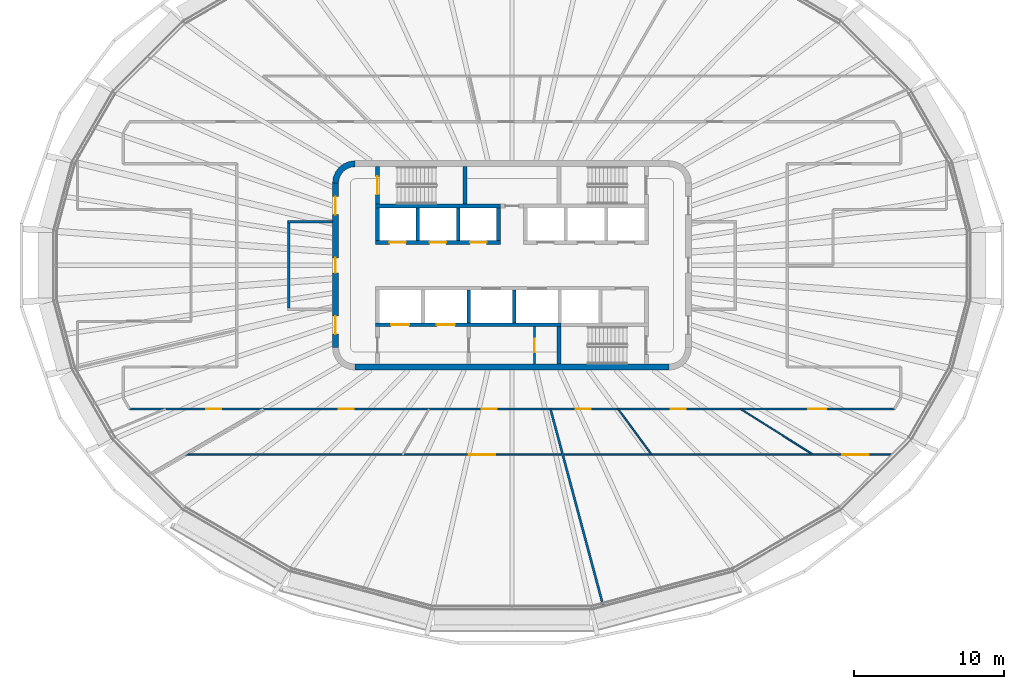
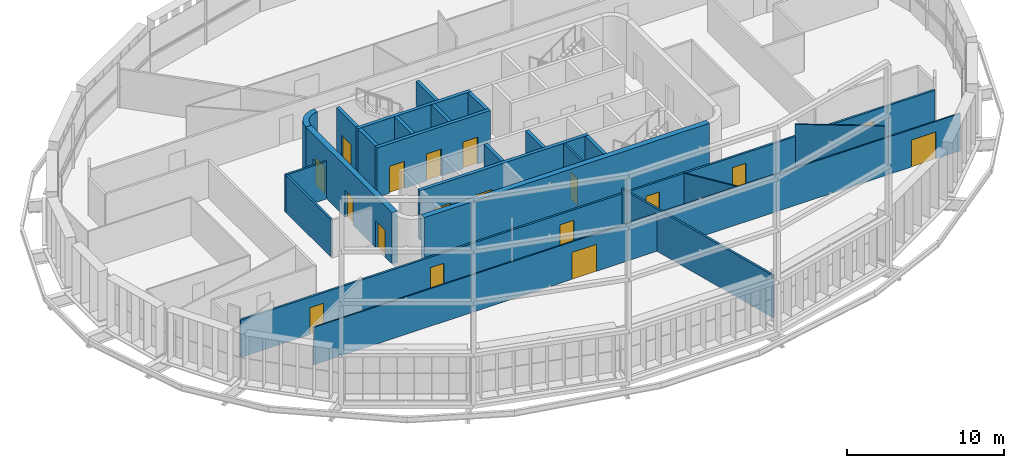
# One storey, part 11 of 20: 23 walls, 18 doors, 18 openings.
"""IFC4 building model written with IfcOpenShell, lengths in metres."""

import ifcopenshell
import ifcopenshell.guid

model = None  # the IFC model being written
_history = None  # IfcOwnerHistory: only IFC2X3 demands one
_inside = {}  # id of a spatial element -> (the spatial element, [elements in it])
_under = {}  # id of a project, library or spatial element -> (it, [spatial elements below it])
_declared = {}  # id of a project -> (the project, [libraries it declares])
_typed = {}  # id of a type object -> (the type object, [elements of that type])
_made_of = {}  # id of a material, layer set ... -> (it, [elements and type objects made of it])


def new_model(schema):
    """Start an empty IFC model of exactly this schema.

    Asked for "IFC4X3", IfcOpenShell would pick the latest addendum, in which some entities
    have other attributes; the version numbers below select the first issue.
    IFC2X3 requires an IfcOwnerHistory on every rooted entity: one is made here for all.
    """
    global model, _history
    if schema == "IFC4X3":
        model = ifcopenshell.file(schema_version=(4, 3, 0, 0))
    else:
        model = ifcopenshell.file(schema=schema)
    _inside.clear()
    _under.clear()
    _declared.clear()
    _typed.clear()
    _made_of.clear()
    _history = None
    if model.schema == "IFC2X3":
        org = make("IfcOrganization", Name="unknown")
        user = make(
            "IfcPersonAndOrganization",
            ThePerson=make("IfcPerson", FamilyName="unknown"),
            TheOrganization=org,
        )
        app = make(
            "IfcApplication",
            ApplicationDeveloper=org,
            Version="unknown",
            ApplicationFullName="unknown",
            ApplicationIdentifier="unknown",
        )
        _history = make(
            "IfcOwnerHistory",
            OwningUser=user,
            OwningApplication=app,
            ChangeAction="ADDED",
            CreationDate=0,
        )
    return model


def make(cls, **values):
    """One entity of the class cls with the attributes given. An attribute that is None is left unset."""
    return model.create_entity(
        cls, **{name: value for name, value in values.items() if value is not None}
    )


def rooted(cls, **values):
    """An entity with a GlobalId (a new one), such as an element, a storey or a relation."""
    return make(cls, GlobalId=ifcopenshell.guid.new(), OwnerHistory=_history, **values)


def si_unit(unit_type, name, prefix=None):
    """IfcSIUnit, for example si_unit("LENGTHUNIT", "METRE", prefix="MILLI")."""
    return make("IfcSIUnit", UnitType=unit_type, Prefix=prefix, Name=name)


def assignment(units):
    """IfcUnitAssignment: the units of a project."""
    return None if units is None else make("IfcUnitAssignment", Units=units)


def point(xyz):
    """IfcCartesianPoint."""
    return None if xyz is None else make("IfcCartesianPoint", Coordinates=xyz)


def direction(xyz):
    """IfcDirection."""
    return None if xyz is None else make("IfcDirection", DirectionRatios=xyz)


def frame(location, z_axis=None, x_axis=None):
    """IfcAxis2Placement3D, a coordinate frame: its origin and axes. An axis left out is left unset."""
    return make(
        "IfcAxis2Placement3D",
        Location=point(location),
        Axis=direction(z_axis),
        RefDirection=direction(x_axis),
    )


def frame_2d(location, x_axis=None):
    """IfcAxis2Placement2D, a coordinate frame in the plane: its origin and x axis."""
    return make(
        "IfcAxis2Placement2D", Location=point(location), RefDirection=direction(x_axis)
    )


def origin():
    """The frame at (0, 0, 0) with its axes left unset."""
    return frame((0.0, 0.0, 0.0))


def place(relative_to, where):
    """IfcLocalPlacement: puts the frame where relative to a parent placement (None: the world)."""
    return make(
        "IfcLocalPlacement", PlacementRelTo=relative_to, RelativePlacement=where
    )


def context(
    kind, dimensions, precision=None, world=None, true_north=None, identifier=None
):
    """IfcGeometricRepresentationContext, for example the 3D "Model" context."""
    return make(
        "IfcGeometricRepresentationContext",
        ContextIdentifier=identifier,
        ContextType=kind,
        CoordinateSpaceDimension=dimensions,
        Precision=precision,
        WorldCoordinateSystem=world,
        TrueNorth=true_north,
    )


def subcontext(parent, identifier, kind, view, scale=None):
    """IfcGeometricRepresentationSubContext, for example "Body" below "Model"."""
    return make(
        "IfcGeometricRepresentationSubContext",
        ContextIdentifier=identifier,
        ContextType=kind,
        ParentContext=parent,
        TargetScale=scale,
        TargetView=view,
    )


def project(units=None, contexts=None):
    """IfcProject with its units and contexts."""
    return rooted(
        "IfcProject",
        Name="project",
        RepresentationContexts=contexts,
        UnitsInContext=assignment(units),
    )


def spatial(cls, under=None, at=None, **own):
    """A site, building, storey or space (cls), placed at a placement, below another one or the project."""
    s = rooted(cls, ObjectPlacement=at, **own)
    if under is not None:
        _under.setdefault(under.id(), (under, []))[1].append(s)
    return s


def polyline(points):
    """IfcPolyline through the points."""
    return make("IfcPolyline", Points=[point(p) for p in points])


def profile(cls, at=None, kind="AREA", **sizes):
    """A parametric profile (cls). Its sizes go by their IFC names, for example OverallWidth=200.0."""
    return make(cls, ProfileType=kind, Position=at, **sizes)


def rectangle(**sizes):
    """IfcRectangleProfileDef."""
    return profile("IfcRectangleProfileDef", **sizes)


def outline(outer, holes=None, kind="AREA"):
    """IfcArbitraryClosedProfileDef: a profile drawn as a closed curve; with holes, ...WithVoids."""
    if holes is None:
        return make("IfcArbitraryClosedProfileDef", ProfileType=kind, OuterCurve=outer)
    return make(
        "IfcArbitraryProfileDefWithVoids",
        ProfileType=kind,
        OuterCurve=outer,
        InnerCurves=holes,
    )


def extrude(swept, where, along, depth):
    """IfcExtrudedAreaSolid: the profile swept, set in the frame where, extruded along a direction by depth."""
    return make(
        "IfcExtrudedAreaSolid",
        SweptArea=swept,
        Position=where,
        ExtrudedDirection=direction(along),
        Depth=depth,
    )


def shape(context_of_items, identifier, shape_type, items):
    """IfcShapeRepresentation: the items that make up one representation, for example the "Body"."""
    return make(
        "IfcShapeRepresentation",
        ContextOfItems=context_of_items,
        RepresentationIdentifier=identifier,
        RepresentationType=shape_type,
        Items=items,
    )


def material(Name=None, Category=None):
    """IfcMaterial."""
    return make("IfcMaterial", Name=Name, Category=Category)


def layer(
    of_material, thickness, ventilated=None, Name=None, Category=None, Priority=None
):
    """IfcMaterialLayer: one layer of a wall or slab, of a material (None: an air gap)."""
    return make(
        "IfcMaterialLayer",
        Material=of_material,
        LayerThickness=thickness,
        IsVentilated=ventilated,
        Name=Name,
        Category=Category,
        Priority=Priority,
    )


def layer_set(layers, Name=None):
    """IfcMaterialLayerSet."""
    return make("IfcMaterialLayerSet", MaterialLayers=layers, LayerSetName=Name)


def made_of(thing, what):
    """Note that an element or type object is made of a material, layer set ...; save() writes the relation."""
    if what is not None:
        _made_of.setdefault(what.id(), (what, []))[1].append(thing)
    return thing


def type_object(cls, material=None, **own):
    """A type object (cls), such as IfcWallType, which elements share."""
    return made_of(rooted(cls, **own), material)


def element(
    cls,
    number,
    at=None,
    inside=None,
    cuts=None,
    type_object=None,
    material=None,
    context=None,
    identifier="Body",
    shape_type=None,
    held_by="IfcProductDefinitionShape",
    body=None,
    shapes=None,
    **own,
):
    """One element of the class cls, such as IfcWall. Its Tag is "e" and its number.

    at: its placement. inside: the storey or other place that contains it. cuts: it is an
    opening in that element (IfcRelVoidsElement). A single representation is given by context,
    identifier, shape_type and body (its items); several are given by shapes. held_by: the class
    of the entity that holds the representations. save() writes the other relations.
    """
    e = rooted(cls, Tag="e%d" % number, ObjectPlacement=at, **own)
    if body is not None:
        shapes = [shape(context, identifier, shape_type, body)]
    if shapes is not None:
        e.Representation = make(held_by, Representations=shapes)
    if inside is not None:
        _inside.setdefault(inside.id(), (inside, []))[1].append(e)
    if cuts is not None:
        rooted(
            "IfcRelVoidsElement", RelatingBuildingElement=cuts, RelatedOpeningElement=e
        )
    if type_object is not None:
        _typed.setdefault(type_object.id(), (type_object, []))[1].append(e)
    return made_of(e, material)


def fill(opening, filler):
    """IfcRelFillsElement: the door or window that sits in an opening."""
    return rooted(
        "IfcRelFillsElement",
        RelatingOpeningElement=opening,
        RelatedBuildingElement=filler,
    )


def aggregate(whole, parts):
    """IfcRelAggregates: a whole, such as a stair, and the parts it consists of."""
    return rooted("IfcRelAggregates", RelatingObject=whole, RelatedObjects=parts)


def save(model, path):
    """Write the relations noted so far, then the file.

    IfcRelAggregates (storeys below a building ...), IfcRelContainedInSpatialStructure (elements
    in a storey), IfcRelDefinesByType, IfcRelAssociatesMaterial and IfcRelDeclares: one each for
    every whole, place, type object, material and project.
    """
    for whole, parts in _under.values():
        aggregate(whole, parts)
    for where, things in _inside.values():
        rooted(
            "IfcRelContainedInSpatialStructure",
            RelatedElements=things,
            RelatingStructure=where,
        )
    for kind, things in _typed.values():
        rooted("IfcRelDefinesByType", RelatedObjects=things, RelatingType=kind)
    for what, things in _made_of.values():
        rooted("IfcRelAssociatesMaterial", RelatedObjects=things, RelatingMaterial=what)
    for by, libraries in _declared.values():
        rooted("IfcRelDeclares", RelatingContext=by, RelatedDefinitions=libraries)
    model.write(path)


model = new_model("IFC4")

# Units and contexts
model_context = context("Model", 3, precision=1e-05, world=origin(), true_north=direction((0.0, 1.0)))
body_context = subcontext(model_context, "Body", "Model", "MODEL_VIEW")
ifc_project = project(units=[si_unit("LENGTHUNIT", "METRE"), si_unit("AREAUNIT", "SQUARE_METRE"), si_unit("VOLUMEUNIT", "CUBIC_METRE"), si_unit("PLANEANGLEUNIT", "RADIAN"), si_unit("MASSUNIT", "GRAM", prefix="KILO")], contexts=[model_context])

# Site, building, storey
site_placement = place(None, origin())
site = spatial("IfcSite", under=ifc_project, at=site_placement, CompositionType="ELEMENT")
building_placement = place(site_placement, origin())
building = spatial("IfcBuilding", under=site, at=building_placement, Name="Sahrelin Media Tower", CompositionType="ELEMENT")
storey_placement = place(building_placement, frame((0.0, 0.0, 209.60009765625)))
storey = spatial("IfcBuildingStorey", under=building, at=storey_placement, Name="L44", CompositionType="ELEMENT", Elevation=209.60009765625)

# Wall
ifc_material_1 = material(Name="Concrete C60/75", Category="concrete")
ifc_layer_1 = layer(ifc_material_1, 0.39990234375)
ifc_layer_set_1 = layer_set([ifc_layer_1], Name="Core wall 400")
wall_type_1 = type_object("IfcWallType", Name="Core wall 400", PredefinedType="SHEAR", material=ifc_layer_set_1)
wall_1_placement = place(storey_placement, frame((-10.5, -6.800048828125, 0.0), z_axis=(0.0, 0.0, 1.0), x_axis=(1.0, 0.0, 0.0)))
element("IfcWall", 1, at=wall_1_placement, inside=storey, type_object=wall_type_1, Name="Core wall S L44", PredefinedType="SHEAR", context=body_context, shape_type="SweptSolid", body=[
    extrude(rectangle(XDim=21.0, YDim=0.39990234375, at=frame_2d((10.5, 0.0))), origin(), (0.0, 0.0, 1.0), 4.0),
])

# Wall, openings, doors
wall_2_placement = place(storey_placement, frame((-11.800048828125, -5.5, 0.0), z_axis=(0.0, 0.0, 1.0), x_axis=(0.0, 1.0, 0.0)))
wall_2 = element("IfcWall", 2, at=wall_2_placement, inside=storey, type_object=wall_type_1, Name="Core wall W L44", PredefinedType="SHEAR", context=body_context, shape_type="SweptSolid", body=[
    extrude(rectangle(XDim=11.0, YDim=0.39990234375, at=frame_2d((5.5, 0.0))), origin(), (0.0, 0.0, 1.0), 4.0),
])
opening_1_placement = place(wall_2_placement, frame((5.0, 0.0, 0.0)))
opening_1 = element("IfcOpeningElement", 3, at=opening_1_placement, cuts=wall_2, Name="Opening L44-D09", PredefinedType="OPENING", context=body_context, shape_type="SweptSolid", body=[
    extrude(rectangle(XDim=1.0, YDim=2.10009765625, at=frame_2d((0.5, 1.050048828125))), frame((0.0, 0.199951171875, 0.0), z_axis=(0.0, -1.0, 0.0), x_axis=(1.0, 0.0, 0.0)), (0.0, 0.0, 1.0), 0.39990234375),
])
opening_2_placement = place(wall_2_placement, frame((0.89990234375, 0.0, 0.0)))
opening_2 = element("IfcOpeningElement", 4, at=opening_2_placement, cuts=wall_2, Name="Opening L44-D11", PredefinedType="OPENING", context=body_context, shape_type="SweptSolid", body=[
    extrude(rectangle(XDim=1.199951171875, YDim=2.10009765625, at=frame_2d((0.60009765625, 1.050048828125))), frame((0.0, 0.199951171875, 0.0), z_axis=(0.0, -1.0, 0.0), x_axis=(1.0, 0.0, 0.0)), (0.0, 0.0, 1.0), 0.39990234375),
])
opening_3_placement = place(wall_2_placement, frame((8.89990234375, 0.0, 0.0)))
opening_3 = element("IfcOpeningElement", 5, at=opening_3_placement, cuts=wall_2, Name="Opening L44-D12", PredefinedType="OPENING", context=body_context, shape_type="SweptSolid", body=[
    extrude(rectangle(XDim=1.199951171875, YDim=2.10009765625, at=frame_2d((0.60009765625, 1.050048828125))), frame((0.0, 0.199951171875, 0.0), z_axis=(0.0, -1.0, 0.0), x_axis=(1.0, 0.0, 0.0)), (0.0, 0.0, 1.0), 0.39990234375),
])
ifc_material_2 = material(Name="Steel fire door leaf", Category="steel")
door_type_1 = type_object("IfcDoorType", Name="Fire door 1000 x 2100 EI 60", OperationType="NOTDEFINED", PredefinedType="DOOR", material=ifc_material_2)
door_1_placement = place(opening_1_placement, origin())
door_1 = element("IfcDoor", 6, at=door_1_placement, inside=storey, type_object=door_type_1, Name="Core room door", OperationType="SINGLE_SWING_RIGHT", OverallHeight=2.10009765625, OverallWidth=1.0, PredefinedType="DOOR", context=body_context, shape_type="SweptSolid", body=[
    extrude(rectangle(XDim=1.0, YDim=2.10009765625, at=frame_2d((0.5, 1.050048828125))), frame((0.0, 0.02490234375, 0.0), z_axis=(0.0, -1.0, 0.0), x_axis=(1.0, 0.0, 0.0)), (0.0, 0.0, 1.0), 0.050048828125),
])
fill(opening_1, door_1)
door_type_2 = type_object("IfcDoorType", Name="Lobby door 1200 x 2100 EI 60", OperationType="NOTDEFINED", PredefinedType="DOOR", material=ifc_material_2)
door_2_placement = place(opening_2_placement, origin())
door_2 = element("IfcDoor", 7, at=door_2_placement, inside=storey, type_object=door_type_2, Name="Lobby door", OperationType="SINGLE_SWING_LEFT", OverallHeight=2.10009765625, OverallWidth=1.199951171875, PredefinedType="DOOR", context=body_context, shape_type="SweptSolid", body=[
    extrude(rectangle(XDim=1.199951171875, YDim=2.10009765625, at=frame_2d((0.60009765625, 1.050048828125))), frame((0.0, 0.02490234375, 0.0), z_axis=(0.0, -1.0, 0.0), x_axis=(1.0, 0.0, 0.0)), (0.0, 0.0, 1.0), 0.050048828125),
])
fill(opening_2, door_2)
door_3_placement = place(opening_3_placement, origin())
door_3 = element("IfcDoor", 8, at=door_3_placement, inside=storey, type_object=door_type_2, Name="Lobby door", OperationType="SINGLE_SWING_LEFT", OverallHeight=2.10009765625, OverallWidth=1.199951171875, PredefinedType="DOOR", context=body_context, shape_type="SweptSolid", body=[
    extrude(rectangle(XDim=1.199951171875, YDim=2.10009765625, at=frame_2d((0.60009765625, 1.050048828125))), frame((0.0, 0.02490234375, 0.0), z_axis=(0.0, -1.0, 0.0), x_axis=(1.0, 0.0, 0.0)), (0.0, 0.0, 1.0), 0.050048828125),
])
fill(opening_3, door_3)

# Wall
wall_3_placement = place(storey_placement, origin())
element("IfcWall", 9, at=wall_3_placement, inside=storey, type_object=wall_type_1, Name="Core wall corner NW L44", PredefinedType="SHEAR", context=body_context, shape_type="SweptSolid", body=[
    extrude(outline(polyline([(-12.0, 5.5), (-11.596435546875, 5.5), (-11.55908203125, 5.78369140625), (-11.44970703125, 6.04833984375), (-11.275390625, 6.275390625), (-11.04833984375, 6.44970703125), (-10.78369140625, 6.55908203125), (-10.5, 6.596435546875), (-10.5, 7.0), (-10.88818359375, 6.948974609375), (-11.25, 6.799072265625), (-11.560791015625, 6.560791015625), (-11.799072265625, 6.25), (-11.948974609375, 5.88818359375), (-12.0, 5.5)])), origin(), (0.0, 0.0, 1.0), 4.0),
])

# Wall, opening, door
ifc_material_3 = material(Name="Fire-rated gypsum board partition")
ifc_layer_2 = layer(ifc_material_3, 0.14990234375)
ifc_layer_set_2 = layer_set([ifc_layer_2], Name="Fire-rated partition 150")
wall_type_2 = type_object("IfcWallType", Name="Fire-rated partition 150", PredefinedType="PARTITIONING", material=ifc_layer_set_2)
wall_4_placement = place(storey_placement, frame((1.5, -6.60009765625, 0.0), z_axis=(0.0, 0.0, 1.0), x_axis=(0.0, 1.0, 0.0)))
wall_4 = element("IfcWall", 10, at=wall_4_placement, inside=storey, type_object=wall_type_2, Name="Core room fire partition", PredefinedType="PARTITIONING", context=body_context, shape_type="SweptSolid", body=[
    extrude(rectangle(XDim=2.5, YDim=0.14990234375, at=frame_2d((1.25, 0.0))), origin(), (0.0, 0.0, 1.0), 3.849853515625),
])
opening_4_placement = place(wall_4_placement, frame((0.800048828125, 0.0, 0.0)))
opening_4 = element("IfcOpeningElement", 11, at=opening_4_placement, cuts=wall_4, Name="Opening L44-D07", PredefinedType="OPENING", context=body_context, shape_type="SweptSolid", body=[
    extrude(rectangle(XDim=0.89990234375, YDim=2.10009765625, at=frame_2d((0.449951171875, 1.050048828125))), frame((0.0, 0.074951171875, 0.0), z_axis=(0.0, -1.0, 0.0), x_axis=(1.0, 0.0, 0.0)), (0.0, 0.0, 1.0), 0.14990234375),
])
door_type_3 = type_object("IfcDoorType", Name="Fire door 900 x 2100 EI 60", OperationType="NOTDEFINED", PredefinedType="DOOR", material=ifc_material_2)
door_4_placement = place(opening_4_placement, origin())
door_4 = element("IfcDoor", 12, at=door_4_placement, inside=storey, type_object=door_type_3, Name="Core room door", OperationType="SINGLE_SWING_RIGHT", OverallHeight=2.10009765625, OverallWidth=0.89990234375, PredefinedType="DOOR", context=body_context, shape_type="SweptSolid", body=[
    extrude(rectangle(XDim=0.89990234375, YDim=2.10009765625, at=frame_2d((0.449951171875, 1.050048828125))), frame((0.0, 0.02490234375, 0.0), z_axis=(0.0, -1.0, 0.0), x_axis=(1.0, 0.0, 0.0)), (0.0, 0.0, 1.0), 0.050048828125),
])
fill(opening_4, door_4)

# Walls
wall_5_placement = place(storey_placement, frame((-14.925048828125, -2.85009765625, 0.0), z_axis=(0.0, 0.0, 1.0), x_axis=(0.0, 1.0, 0.0)))
element("IfcWall", 13, at=wall_5_placement, inside=storey, type_object=wall_type_2, Name="Core room fire partition", PredefinedType="PARTITIONING", context=body_context, shape_type="SweptSolid", body=[
    extrude(rectangle(XDim=5.7001953125, YDim=0.14990234375, at=frame_2d((2.85009765625, 0.0))), origin(), (0.0, 0.0, 1.0), 2.918212890625),
])
wall_6_placement = place(storey_placement, frame((-15.0, 2.925048828125, 0.0), z_axis=(0.0, 0.0, 1.0), x_axis=(1.0, 0.0, 0.0)))
element("IfcWall", 14, at=wall_6_placement, inside=storey, type_object=wall_type_2, Name="Core room fire partition", PredefinedType="PARTITIONING", context=body_context, shape_type="SweptSolid", body=[
    extrude(rectangle(XDim=3.0, YDim=0.14990234375, at=frame_2d((1.5, 0.0))), origin(), (0.0, 0.0, 1.0), 2.918212890625),
])
wall_7_placement = place(storey_placement, frame((2.572021484375, -9.60009765625, 0.0), z_axis=(0.0, 0.0, 1.0), x_axis=(0.258846500895, -0.965918469113, 0.0)))
element("IfcWall", 15, at=wall_7_placement, inside=storey, type_object=wall_type_2, Name="Wall", PredefinedType="PARTITIONING", context=body_context, shape_type="SweptSolid", body=[
    extrude(rectangle(XDim=13.667724609375, YDim=0.14990234375, at=frame_2d((6.833984375, 0.0))), origin(), (0.0, 0.0, 1.0), 3.301513671875),
])

# Wall, openings, doors
wall_8_placement = place(storey_placement, frame((-25.569091796875, -9.60009765625, 0.0), z_axis=(0.0, 0.0, 1.0), x_axis=(1.0, 0.0, 0.0)))
wall_8 = element("IfcWall", 16, at=wall_8_placement, inside=storey, type_object=wall_type_2, Name="Wall", PredefinedType="PARTITIONING", context=body_context, shape_type="SweptSolid", body=[
    extrude(rectangle(XDim=51.13818359375, YDim=0.14990234375, at=frame_2d((25.569091796875, 0.0))), origin(), (0.0, 0.0, 1.0), 2.918212890625),
])
opening_5_placement = place(wall_8_placement, frame((5.12353515625, 0.0, 0.0)))
opening_5 = element("IfcOpeningElement", 17, at=opening_5_placement, cuts=wall_8, Name="Opening L44-D22", PredefinedType="OPENING", context=body_context, shape_type="SweptSolid", body=[
    extrude(rectangle(XDim=1.0, YDim=2.10009765625, at=frame_2d((0.5, 1.050048828125))), frame((0.0, 0.074951171875, 0.0), z_axis=(0.0, -1.0, 0.0), x_axis=(1.0, 0.0, 0.0)), (0.0, 0.0, 1.0), 0.14990234375),
])
opening_6_placement = place(wall_8_placement, frame((13.9833984375, 0.0, 0.0)))
opening_6 = element("IfcOpeningElement", 18, at=opening_6_placement, cuts=wall_8, Name="Opening L44-D24", PredefinedType="OPENING", context=body_context, shape_type="SweptSolid", body=[
    extrude(rectangle(XDim=1.0, YDim=2.10009765625, at=frame_2d((0.5, 1.050048828125))), frame((0.0, 0.074951171875, 0.0), z_axis=(0.0, -1.0, 0.0), x_axis=(1.0, 0.0, 0.0)), (0.0, 0.0, 1.0), 0.14990234375),
])
opening_7_placement = place(wall_8_placement, frame((23.533447265625, 0.0, 0.0)))
opening_7 = element("IfcOpeningElement", 19, at=opening_7_placement, cuts=wall_8, Name="Opening L44-D25", PredefinedType="OPENING", context=body_context, shape_type="SweptSolid", body=[
    extrude(rectangle(XDim=1.0, YDim=2.10009765625, at=frame_2d((0.5, 1.050048828125))), frame((0.0, 0.074951171875, 0.0), z_axis=(0.0, -1.0, 0.0), x_axis=(1.0, 0.0, 0.0)), (0.0, 0.0, 1.0), 0.14990234375),
])
opening_8_placement = place(wall_8_placement, frame((29.84716796875, 0.0, 0.0)))
opening_8 = element("IfcOpeningElement", 20, at=opening_8_placement, cuts=wall_8, Name="Opening L44-D27", PredefinedType="OPENING", context=body_context, shape_type="SweptSolid", body=[
    extrude(rectangle(XDim=1.0, YDim=2.10009765625, at=frame_2d((0.5, 1.050048828125))), frame((0.0, 0.074951171875, 0.0), z_axis=(0.0, -1.0, 0.0), x_axis=(1.0, 0.0, 0.0)), (0.0, 0.0, 1.0), 0.14990234375),
])
opening_9_placement = place(wall_8_placement, frame((36.19970703125, 0.0, 0.0)))
opening_9 = element("IfcOpeningElement", 21, at=opening_9_placement, cuts=wall_8, Name="Opening L44-D28", PredefinedType="OPENING", context=body_context, shape_type="SweptSolid", body=[
    extrude(rectangle(XDim=1.0, YDim=2.10009765625, at=frame_2d((0.5, 1.050048828125))), frame((0.0, 0.074951171875, 0.0), z_axis=(0.0, -1.0, 0.0), x_axis=(1.0, 0.0, 0.0)), (0.0, 0.0, 1.0), 0.14990234375),
])
opening_10_placement = place(wall_8_placement, frame((45.392578125, 0.0, 0.0)))
opening_10 = element("IfcOpeningElement", 22, at=opening_10_placement, cuts=wall_8, Name="Opening L44-D29", PredefinedType="OPENING", context=body_context, shape_type="SweptSolid", body=[
    extrude(rectangle(XDim=1.199951171875, YDim=2.10009765625, at=frame_2d((0.60009765625, 1.050048828125))), frame((0.0, 0.074951171875, 0.0), z_axis=(0.0, -1.0, 0.0), x_axis=(1.0, 0.0, 0.0)), (0.0, 0.0, 1.0), 0.14990234375),
])
door_5_placement = place(opening_5_placement, origin())
door_5 = element("IfcDoor", 23, at=door_5_placement, inside=storey, type_object=door_type_1, Name="Fire door", OperationType="SINGLE_SWING_RIGHT", OverallHeight=2.10009765625, OverallWidth=1.0, PredefinedType="DOOR", context=body_context, shape_type="SweptSolid", body=[
    extrude(rectangle(XDim=1.0, YDim=2.10009765625, at=frame_2d((0.5, 1.050048828125))), frame((0.0, 0.02490234375, 0.0), z_axis=(0.0, -1.0, 0.0), x_axis=(1.0, 0.0, 0.0)), (0.0, 0.0, 1.0), 0.050048828125),
])
fill(opening_5, door_5)
door_6_placement = place(opening_6_placement, origin())
door_6 = element("IfcDoor", 24, at=door_6_placement, inside=storey, type_object=door_type_1, Name="Fire door", OperationType="SINGLE_SWING_RIGHT", OverallHeight=2.10009765625, OverallWidth=1.0, PredefinedType="DOOR", context=body_context, shape_type="SweptSolid", body=[
    extrude(rectangle(XDim=1.0, YDim=2.10009765625, at=frame_2d((0.5, 1.050048828125))), frame((0.0, 0.02490234375, 0.0), z_axis=(0.0, -1.0, 0.0), x_axis=(1.0, 0.0, 0.0)), (0.0, 0.0, 1.0), 0.050048828125),
])
fill(opening_6, door_6)
door_7_placement = place(opening_7_placement, origin())
door_7 = element("IfcDoor", 25, at=door_7_placement, inside=storey, type_object=door_type_1, Name="Fire door", OperationType="SINGLE_SWING_LEFT", OverallHeight=2.10009765625, OverallWidth=1.0, PredefinedType="DOOR", context=body_context, shape_type="SweptSolid", body=[
    extrude(rectangle(XDim=1.0, YDim=2.10009765625, at=frame_2d((0.5, 1.050048828125))), frame((0.0, 0.02490234375, 0.0), z_axis=(0.0, -1.0, 0.0), x_axis=(1.0, 0.0, 0.0)), (0.0, 0.0, 1.0), 0.050048828125),
])
fill(opening_7, door_7)
door_8_placement = place(opening_8_placement, origin())
door_8 = element("IfcDoor", 26, at=door_8_placement, inside=storey, type_object=door_type_1, Name="Fire door", OperationType="SINGLE_SWING_LEFT", OverallHeight=2.10009765625, OverallWidth=1.0, PredefinedType="DOOR", context=body_context, shape_type="SweptSolid", body=[
    extrude(rectangle(XDim=1.0, YDim=2.10009765625, at=frame_2d((0.5, 1.050048828125))), frame((0.0, 0.02490234375, 0.0), z_axis=(0.0, -1.0, 0.0), x_axis=(1.0, 0.0, 0.0)), (0.0, 0.0, 1.0), 0.050048828125),
])
fill(opening_8, door_8)
door_9_placement = place(opening_9_placement, origin())
door_9 = element("IfcDoor", 27, at=door_9_placement, inside=storey, type_object=door_type_1, Name="Fire door", OperationType="SINGLE_SWING_LEFT", OverallHeight=2.10009765625, OverallWidth=1.0, PredefinedType="DOOR", context=body_context, shape_type="SweptSolid", body=[
    extrude(rectangle(XDim=1.0, YDim=2.10009765625, at=frame_2d((0.5, 1.050048828125))), frame((0.0, 0.02490234375, 0.0), z_axis=(0.0, -1.0, 0.0), x_axis=(1.0, 0.0, 0.0)), (0.0, 0.0, 1.0), 0.050048828125),
])
fill(opening_9, door_9)
door_type_4 = type_object("IfcDoorType", Name="Service double door 1200 x 2100 EI 60", OperationType="DOUBLE_DOOR_SINGLE_SWING", PredefinedType="DOOR", material=ifc_material_2)
door_10_placement = place(opening_10_placement, origin())
door_10 = element("IfcDoor", 28, at=door_10_placement, inside=storey, type_object=door_type_4, Name="Service double door", OperationType="DOUBLE_DOOR_SINGLE_SWING", OverallHeight=2.10009765625, OverallWidth=1.199951171875, PredefinedType="DOOR", context=body_context, shape_type="SweptSolid", body=[
    extrude(rectangle(XDim=1.199951171875, YDim=2.10009765625, at=frame_2d((0.60009765625, 1.050048828125))), frame((0.0, 0.02490234375, 0.0), z_axis=(0.0, -1.0, 0.0), x_axis=(1.0, 0.0, 0.0)), (0.0, 0.0, 1.0), 0.050048828125),
])
fill(opening_10, door_10)

ifc_layer_3 = layer(ifc_material_1, 0.25)
ifc_layer_set_3 = layer_set([ifc_layer_3], Name="Lift shaft wall 250")
wall_type_3 = type_object("IfcWallType", Name="Lift shaft wall 250", PredefinedType="SOLIDWALL", material=ifc_layer_set_3)
wall_9_placement = place(storey_placement, frame((-9.125, 1.52490234375, 0.0), z_axis=(0.0, 0.0, 1.0), x_axis=(1.0, 0.0, 0.0)))
wall_9 = element("IfcWall", 29, at=wall_9_placement, inside=storey, type_object=wall_type_3, Name="Lift shaft wall", PredefinedType="SOLIDWALL", context=body_context, shape_type="SweptSolid", body=[
    extrude(rectangle(XDim=8.35009765625, YDim=0.25, at=frame_2d((4.175048828125, 0.0))), origin(), (0.0, 0.0, 1.0), 3.849853515625),
])
opening_11_placement = place(wall_9_placement, frame((0.925048828125, 0.0, 0.0)))
opening_11 = element("IfcOpeningElement", 30, at=opening_11_placement, cuts=wall_9, Name="Opening L44-LD-HR1", PredefinedType="OPENING", context=body_context, shape_type="SweptSolid", body=[
    extrude(rectangle(XDim=1.10009765625, YDim=2.10009765625, at=frame_2d((0.550048828125, 1.050048828125))), frame((0.0, 0.125, 0.0), z_axis=(0.0, -1.0, 0.0), x_axis=(1.0, 0.0, 0.0)), (0.0, 0.0, 1.0), 0.25),
])
opening_12_placement = place(wall_9_placement, frame((3.625, 0.0, 0.0)))
opening_12 = element("IfcOpeningElement", 31, at=opening_12_placement, cuts=wall_9, Name="Opening L44-LD-HR2", PredefinedType="OPENING", context=body_context, shape_type="SweptSolid", body=[
    extrude(rectangle(XDim=1.10009765625, YDim=2.10009765625, at=frame_2d((0.550048828125, 1.050048828125))), frame((0.0, 0.125, 0.0), z_axis=(0.0, -1.0, 0.0), x_axis=(1.0, 0.0, 0.0)), (0.0, 0.0, 1.0), 0.25),
])
opening_13_placement = place(wall_9_placement, frame((6.324951171875, 0.0, 0.0)))
opening_13 = element("IfcOpeningElement", 32, at=opening_13_placement, cuts=wall_9, Name="Opening L44-LD-HR3", PredefinedType="OPENING", context=body_context, shape_type="SweptSolid", body=[
    extrude(rectangle(XDim=1.10009765625, YDim=2.10009765625, at=frame_2d((0.550048828125, 1.050048828125))), frame((0.0, 0.125, 0.0), z_axis=(0.0, -1.0, 0.0), x_axis=(1.0, 0.0, 0.0)), (0.0, 0.0, 1.0), 0.25),
])
ifc_material_4 = material(Name="Stainless steel", Category="steel")
door_type_5 = type_object("IfcDoorType", Name="Lift landing door 1100 x 2100 EI 120", OperationType="DOUBLE_DOOR_SLIDING", PredefinedType="DOOR", material=ifc_material_4)
door_11_placement = place(opening_11_placement, origin())
door_11 = element("IfcDoor", 33, at=door_11_placement, inside=storey, type_object=door_type_5, Name="Lift landing door HR1", OperationType="DOUBLE_DOOR_SLIDING", OverallHeight=2.10009765625, OverallWidth=1.10009765625, PredefinedType="DOOR", context=body_context, shape_type="SweptSolid", body=[
    extrude(rectangle(XDim=1.10009765625, YDim=2.10009765625, at=frame_2d((0.550048828125, 1.050048828125))), frame((0.0, 0.02490234375, 0.0), z_axis=(0.0, -1.0, 0.0), x_axis=(1.0, 0.0, 0.0)), (0.0, 0.0, 1.0), 0.050048828125),
])
fill(opening_11, door_11)
door_12_placement = place(opening_12_placement, origin())
door_12 = element("IfcDoor", 34, at=door_12_placement, inside=storey, type_object=door_type_5, Name="Lift landing door HR2", OperationType="DOUBLE_DOOR_SLIDING", OverallHeight=2.10009765625, OverallWidth=1.10009765625, PredefinedType="DOOR", context=body_context, shape_type="SweptSolid", body=[
    extrude(rectangle(XDim=1.10009765625, YDim=2.10009765625, at=frame_2d((0.550048828125, 1.050048828125))), frame((0.0, 0.02490234375, 0.0), z_axis=(0.0, -1.0, 0.0), x_axis=(1.0, 0.0, 0.0)), (0.0, 0.0, 1.0), 0.050048828125),
])
fill(opening_12, door_12)
door_13_placement = place(opening_13_placement, origin())
door_13 = element("IfcDoor", 35, at=door_13_placement, inside=storey, type_object=door_type_5, Name="Lift landing door HR3", OperationType="DOUBLE_DOOR_SLIDING", OverallHeight=2.10009765625, OverallWidth=1.10009765625, PredefinedType="DOOR", context=body_context, shape_type="SweptSolid", body=[
    extrude(rectangle(XDim=1.10009765625, YDim=2.10009765625, at=frame_2d((0.550048828125, 1.050048828125))), frame((0.0, 0.02490234375, 0.0), z_axis=(0.0, -1.0, 0.0), x_axis=(1.0, 0.0, 0.0)), (0.0, 0.0, 1.0), 0.050048828125),
])
fill(opening_13, door_13)

# Walls
wall_10_placement = place(storey_placement, frame((-9.125, 3.97509765625, 0.0), z_axis=(0.0, 0.0, 1.0), x_axis=(1.0, 0.0, 0.0)))
element("IfcWall", 36, at=wall_10_placement, inside=storey, type_object=wall_type_3, Name="Lift shaft wall", PredefinedType="SOLIDWALL", context=body_context, shape_type="SweptSolid", body=[
    extrude(rectangle(XDim=8.35009765625, YDim=0.25, at=frame_2d((4.175048828125, 0.0))), origin(), (0.0, 0.0, 1.0), 3.849853515625),
])
for number, where, z_axis, x_axis, name in (
    (37, (-9.0, 1.64990234375, 0.0), (0.0, 0.0, 1.0), (0.0, 1.0, 0.0), "Lift shaft wall"),
    (38, (-6.300048828125, 1.64990234375, 0.0), (0.0, 0.0, 1.0), (0.0, 1.0, 0.0), "Lift shaft wall"),
    (39, (-3.60009765625, 1.64990234375, 0.0), (0.0, 0.0, 1.0), (0.0, 1.0, 0.0), "Lift shaft wall"),
    (40, (-0.89990234375, 1.64990234375, 0.0), (0.0, 0.0, 1.0), (0.0, 1.0, 0.0), "Lift shaft wall"),
):
    element("IfcWall", number, at=place(storey_placement, frame(where, z_axis=z_axis, x_axis=x_axis)), inside=storey, type_object=wall_type_3, Name=name, PredefinedType="SOLIDWALL", context=body_context, shape_type="SweptSolid", body=[
        extrude(rectangle(XDim=2.2001953125, YDim=0.25, at=frame_2d((1.10009765625, 0.0))), origin(), (0.0, 0.0, 1.0), 3.849853515625),
    ])

# Wall, openings, doors
wall_11_placement = place(storey_placement, frame((-9.125, -3.97509765625, 0.0), z_axis=(0.0, 0.0, 1.0), x_axis=(1.0, 0.0, 0.0)))
wall_11 = element("IfcWall", 41, at=wall_11_placement, inside=storey, type_object=wall_type_3, Name="Lift shaft wall", PredefinedType="SOLIDWALL", context=body_context, shape_type="SweptSolid", body=[
    extrude(rectangle(XDim=12.39990234375, YDim=0.25, at=frame_2d((6.199951171875, 0.0))), origin(), (0.0, 0.0, 1.0), 3.849853515625),
])
opening_14_placement = place(wall_11_placement, frame((1.050048828125, 0.0, 0.0)))
opening_14 = element("IfcOpeningElement", 42, at=opening_14_placement, cuts=wall_11, Name="Opening L44-LD-FF1", PredefinedType="OPENING", context=body_context, shape_type="SweptSolid", body=[
    extrude(rectangle(XDim=1.199951171875, YDim=2.10009765625, at=frame_2d((0.60009765625, 1.050048828125))), frame((0.0, 0.125, 0.0), z_axis=(0.0, -1.0, 0.0), x_axis=(1.0, 0.0, 0.0)), (0.0, 0.0, 1.0), 0.25),
])
opening_15_placement = place(wall_11_placement, frame((4.10009765625, 0.0, 0.0)))
opening_15 = element("IfcOpeningElement", 43, at=opening_15_placement, cuts=wall_11, Name="Opening L44-LD-FF2", PredefinedType="OPENING", context=body_context, shape_type="SweptSolid", body=[
    extrude(rectangle(XDim=1.199951171875, YDim=2.10009765625, at=frame_2d((0.60009765625, 1.050048828125))), frame((0.0, 0.125, 0.0), z_axis=(0.0, -1.0, 0.0), x_axis=(1.0, 0.0, 0.0)), (0.0, 0.0, 1.0), 0.25),
])
door_type_6 = type_object("IfcDoorType", Name="Lift landing door 1200 x 2100 EI 120", OperationType="DOUBLE_DOOR_SLIDING", PredefinedType="DOOR", material=ifc_material_4)
door_14_placement = place(opening_14_placement, origin())
door_14 = element("IfcDoor", 44, at=door_14_placement, inside=storey, type_object=door_type_6, Name="Lift landing door FF1", OperationType="DOUBLE_DOOR_SLIDING", OverallHeight=2.10009765625, OverallWidth=1.199951171875, PredefinedType="DOOR", context=body_context, shape_type="SweptSolid", body=[
    extrude(rectangle(XDim=1.199951171875, YDim=2.10009765625, at=frame_2d((0.60009765625, 1.050048828125))), frame((0.0, 0.02490234375, 0.0), z_axis=(0.0, -1.0, 0.0), x_axis=(1.0, 0.0, 0.0)), (0.0, 0.0, 1.0), 0.050048828125),
])
fill(opening_14, door_14)
door_15_placement = place(opening_15_placement, origin())
door_15 = element("IfcDoor", 45, at=door_15_placement, inside=storey, type_object=door_type_6, Name="Lift landing door FF2", OperationType="DOUBLE_DOOR_SLIDING", OverallHeight=2.10009765625, OverallWidth=1.199951171875, PredefinedType="DOOR", context=body_context, shape_type="SweptSolid", body=[
    extrude(rectangle(XDim=1.199951171875, YDim=2.10009765625, at=frame_2d((0.60009765625, 1.050048828125))), frame((0.0, 0.02490234375, 0.0), z_axis=(0.0, -1.0, 0.0), x_axis=(1.0, 0.0, 0.0)), (0.0, 0.0, 1.0), 0.050048828125),
])
fill(opening_15, door_15)

# Walls
for number, where, z_axis, x_axis, name in (
    (46, (-2.89990234375, -3.85009765625, 0.0), (0.0, 0.0, 1.0), (0.0, 1.0, 0.0), "Lift shaft wall"),
    (47, (0.14990234375, -3.85009765625, 0.0), (0.0, 0.0, 1.0), (0.0, 1.0, 0.0), "Lift shaft wall"),
):
    element("IfcWall", number, at=place(storey_placement, frame(where, z_axis=z_axis, x_axis=x_axis)), inside=storey, type_object=wall_type_3, Name=name, PredefinedType="SOLIDWALL", context=body_context, shape_type="SweptSolid", body=[
        extrude(rectangle(XDim=2.2001953125, YDim=0.25, at=frame_2d((1.10009765625, 0.0))), origin(), (0.0, 0.0, 1.0), 3.849853515625),
    ])
ifc_material_5 = material(Name="Gypsum board partition")
ifc_layer_4 = layer(ifc_material_5, 0.10009765625)
ifc_layer_set_4 = layer_set([ifc_layer_4], Name="Partition 100")
wall_type_4 = type_object("IfcWallType", Name="Partition 100", PredefinedType="PARTITIONING", material=ifc_layer_set_4)
wall_12_placement = place(storey_placement, frame((7.0849609375, -9.60009765625, 0.0), z_axis=(0.0, 0.0, 1.0), x_axis=(0.593787976906, -0.80462154985, 0.0)))
element("IfcWall", 48, at=wall_12_placement, inside=storey, type_object=wall_type_4, Name="Wall", PredefinedType="PARTITIONING", context=body_context, shape_type="SweptSolid", body=[
    extrude(rectangle(XDim=3.802734375, YDim=0.10009765625, at=frame_2d((1.9013671875, 0.0))), origin(), (0.0, 0.0, 1.0), 2.918212890625),
])
wall_13_placement = place(storey_placement, frame((15.278076171875, -9.60009765625, 0.0), z_axis=(0.0, 0.0, 1.0), x_axis=(0.84673434941, -0.532015922252, 0.0)))
element("IfcWall", 49, at=wall_13_placement, inside=storey, type_object=wall_type_4, Name="Wall", PredefinedType="PARTITIONING", context=body_context, shape_type="SweptSolid", body=[
    extrude(rectangle(XDim=5.75146484375, YDim=0.10009765625, at=frame_2d((2.875732421875, 0.0))), origin(), (0.0, 0.0, 1.0), 3.849853515625),
])

# Wall, openings, doors
wall_14_placement = place(storey_placement, frame((-21.927978515625, -12.659912109375, 0.0), z_axis=(0.0, 0.0, 1.0), x_axis=(1.0, 0.0, 0.0)))
wall_14 = element("IfcWall", 50, at=wall_14_placement, inside=storey, type_object=wall_type_4, Name="Wall", PredefinedType="PARTITIONING", context=body_context, shape_type="SweptSolid", body=[
    extrude(rectangle(XDim=47.60888671875, YDim=0.10009765625, at=frame_2d((23.804443359375, 0.0))), origin(), (0.0, 0.0, 1.0), 2.918212890625),
])
opening_16_placement = place(wall_14_placement, frame((19.01953125, 0.0, 0.0)))
opening_16 = element("IfcOpeningElement", 51, at=opening_16_placement, cuts=wall_14, Name="Opening L44-D26", PredefinedType="OPENING", context=body_context, shape_type="SweptSolid", body=[
    extrude(rectangle(XDim=1.800048828125, YDim=2.10009765625, at=frame_2d((0.89990234375, 1.050048828125))), frame((0.0, 0.050048828125, 0.0), z_axis=(0.0, -1.0, 0.0), x_axis=(1.0, 0.0, 0.0)), (0.0, 0.0, 1.0), 0.10009765625),
])
opening_17_placement = place(wall_14_placement, frame((43.9931640625, 0.0, 0.0)))
opening_17 = element("IfcOpeningElement", 52, at=opening_17_placement, cuts=wall_14, Name="Opening L44-D30", PredefinedType="OPENING", context=body_context, shape_type="SweptSolid", body=[
    extrude(rectangle(XDim=1.800048828125, YDim=2.10009765625, at=frame_2d((0.89990234375, 1.050048828125))), frame((0.0, 0.050048828125, 0.0), z_axis=(0.0, -1.0, 0.0), x_axis=(1.0, 0.0, 0.0)), (0.0, 0.0, 1.0), 0.10009765625),
])
ifc_material_6 = material(Name="Timber door leaf", Category="wood")
door_type_7 = type_object("IfcDoorType", Name="Double door 1800 x 2100", OperationType="DOUBLE_DOOR_SINGLE_SWING", PredefinedType="DOOR", material=ifc_material_6)
door_16_placement = place(opening_16_placement, origin())
door_16 = element("IfcDoor", 53, at=door_16_placement, inside=storey, type_object=door_type_7, Name="Double door", OperationType="DOUBLE_DOOR_SINGLE_SWING", OverallHeight=2.10009765625, OverallWidth=1.800048828125, PredefinedType="DOOR", context=body_context, shape_type="SweptSolid", body=[
    extrude(rectangle(XDim=1.800048828125, YDim=2.10009765625, at=frame_2d((0.89990234375, 1.050048828125))), frame((0.0, 0.02490234375, 0.0), z_axis=(0.0, -1.0, 0.0), x_axis=(1.0, 0.0, 0.0)), (0.0, 0.0, 1.0), 0.050048828125),
])
fill(opening_16, door_16)
door_17_placement = place(opening_17_placement, origin())
door_17 = element("IfcDoor", 54, at=door_17_placement, inside=storey, type_object=door_type_7, Name="Double door", OperationType="DOUBLE_DOOR_SINGLE_SWING", OverallHeight=2.10009765625, OverallWidth=1.800048828125, PredefinedType="DOOR", context=body_context, shape_type="SweptSolid", body=[
    extrude(rectangle(XDim=1.800048828125, YDim=2.10009765625, at=frame_2d((0.89990234375, 1.050048828125))), frame((0.0, 0.02490234375, 0.0), z_axis=(0.0, -1.0, 0.0), x_axis=(1.0, 0.0, 0.0)), (0.0, 0.0, 1.0), 0.050048828125),
])
fill(opening_17, door_17)

# Wall, opening, door
ifc_layer_5 = layer(ifc_material_1, 0.25)
ifc_layer_set_5 = layer_set([ifc_layer_5], Name="Stair enclosure wall 250")
wall_type_5 = type_object("IfcWallType", Name="Stair enclosure wall 250", PredefinedType="SOLIDWALL", material=ifc_layer_set_5)
wall_15_placement = place(storey_placement, frame((-9.0, 4.10009765625, 0.0), z_axis=(0.0, 0.0, 1.0), x_axis=(0.0, 1.0, 0.0)))
wall_15 = element("IfcWall", 55, at=wall_15_placement, inside=storey, type_object=wall_type_5, Name="Stair enclosure wall", PredefinedType="SOLIDWALL", context=body_context, shape_type="SweptSolid", body=[
    extrude(rectangle(XDim=2.5, YDim=0.25, at=frame_2d((1.25, 0.0))), origin(), (0.0, 0.0, 1.0), 3.849853515625),
])
opening_18_placement = place(wall_15_placement, frame((0.64990234375, 0.0, 0.0)))
opening_18 = element("IfcOpeningElement", 56, at=opening_18_placement, cuts=wall_15, Name="Opening L44-D01", PredefinedType="OPENING", context=body_context, shape_type="SweptSolid", body=[
    extrude(rectangle(XDim=1.199951171875, YDim=2.10009765625, at=frame_2d((0.60009765625, 1.050048828125))), frame((0.0, 0.125, 0.0), z_axis=(0.0, -1.0, 0.0), x_axis=(1.0, 0.0, 0.0)), (0.0, 0.0, 1.0), 0.25),
])
door_type_8 = type_object("IfcDoorType", Name="Stair door 1200 x 2100 EI 120", OperationType="NOTDEFINED", PredefinedType="DOOR", material=ifc_material_2)
door_18_placement = place(opening_18_placement, origin())
door_18 = element("IfcDoor", 57, at=door_18_placement, inside=storey, type_object=door_type_8, Name="Stair door ST1", OperationType="SINGLE_SWING_RIGHT", OverallHeight=2.10009765625, OverallWidth=1.199951171875, PredefinedType="DOOR", context=body_context, shape_type="SweptSolid", body=[
    extrude(rectangle(XDim=1.199951171875, YDim=2.10009765625, at=frame_2d((0.60009765625, 1.050048828125))), frame((0.0, 0.02490234375, 0.0), z_axis=(0.0, -1.0, 0.0), x_axis=(1.0, 0.0, 0.0)), (0.0, 0.0, 1.0), 0.050048828125),
])
fill(opening_18, door_18)

# Walls
for number, where, z_axis, x_axis, name in (
    (58, (-3.14990234375, 4.10009765625, 0.0), (0.0, 0.0, 1.0), (0.0, 1.0, 0.0), "Stair enclosure wall"),
    (59, (3.14990234375, -6.60009765625, 0.0), (0.0, 0.0, 1.0), (0.0, 1.0, 0.0), "Stair enclosure wall"),
):
    element("IfcWall", number, at=place(storey_placement, frame(where, z_axis=z_axis, x_axis=x_axis)), inside=storey, type_object=wall_type_5, Name=name, PredefinedType="SOLIDWALL", context=body_context, shape_type="SweptSolid", body=[
        extrude(rectangle(XDim=2.5, YDim=0.25, at=frame_2d((1.25, 0.0))), origin(), (0.0, 0.0, 1.0), 3.849853515625),
    ])

save(model, "model.ifc")
